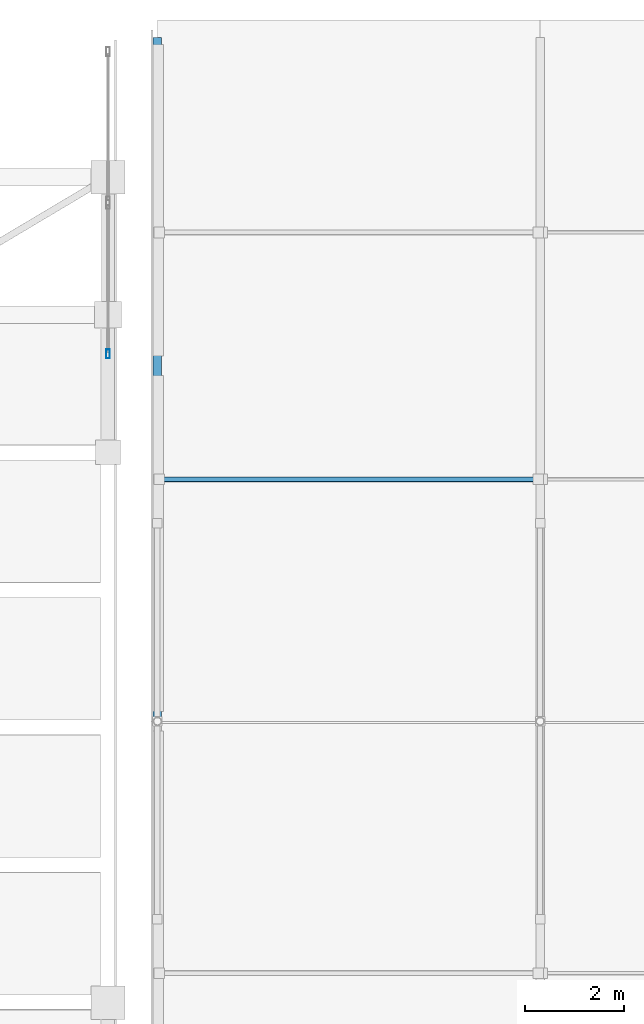
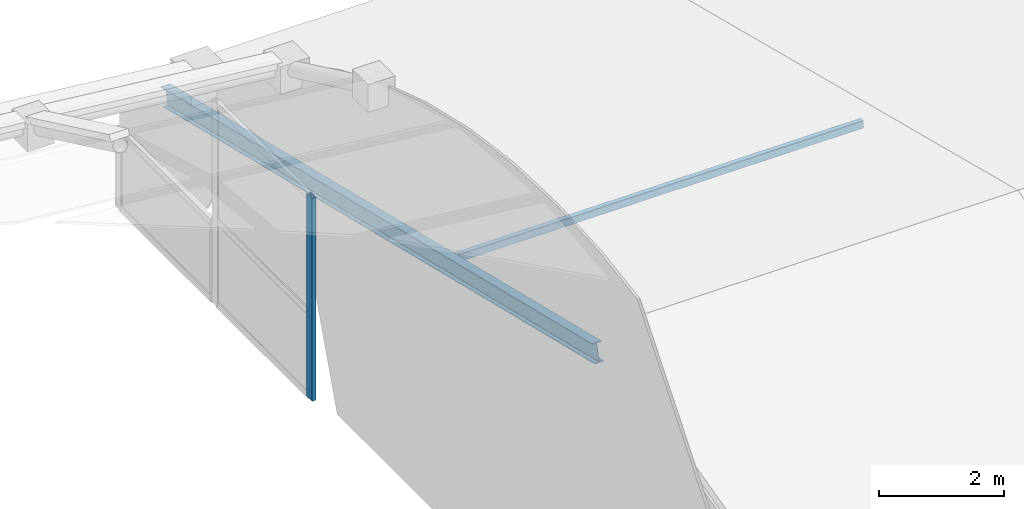
# One storey, part 32 of 65: 3 members, 1 element without a shape of its own.
"""IFC4 building model written with IfcOpenShell, lengths in metres."""

from ifc_helpers import new_model, si_unit, direction, frame, origin, origin_2d, place, context, subcontext, project, spatial, hollow_rectangle, i_section, extrude, material, layer, layer_set, material_profile, profile_set, type_object, element, aggregate, save


model = new_model("IFC4")

# Units and contexts
model_context = context("Model", 3, precision=1e-05, world=origin(), true_north=direction((0.0, 1.0)))
body_context = subcontext(model_context, "Body", "Model", "MODEL_VIEW")
ifc_project = project(units=[si_unit("LENGTHUNIT", "METRE"), si_unit("AREAUNIT", "SQUARE_METRE"), si_unit("VOLUMEUNIT", "CUBIC_METRE"), si_unit("PLANEANGLEUNIT", "RADIAN"), si_unit("MASSUNIT", "GRAM", prefix="KILO")], contexts=[model_context])

# Site, building, storey
site_placement = place(None, origin())
site = spatial("IfcSite", under=ifc_project, at=site_placement, CompositionType="ELEMENT")
building_placement = place(site_placement, origin())
building = spatial("IfcBuilding", under=site, at=building_placement, Name="Quillay Park Conservatory", CompositionType="ELEMENT")
storey_placement = place(building_placement, frame((0.0, 0.0, 14.10009765625)))
storey = spatial("IfcBuildingStorey", under=building, at=storey_placement, Name="L03", CompositionType="ELEMENT", Elevation=14.10009765625)

# Curtain wall, member
ifc_material_1 = material(Name="Thermally Broken Anodised Aluminium 6063-T6", Category="aluminium")
ifc_layer = layer(ifc_material_1, 0.219970703125)
ifc_layer_set = layer_set([ifc_layer], Name="UNITISED CURTAIN WALL CONSERVATORY (Thermally Broken Anodised Aluminium 6063-T6)")
curtain_wall_type = type_object("IfcCurtainWallType", Name="UNITISED CURTAIN WALL CONSERVATORY", PredefinedType="USERDEFINED", material=ifc_layer_set)
curtain_wall_placement = place(storey_placement, origin())
curtain_wall = element("IfcCurtainWall", 1, at=curtain_wall_placement, inside=storey, type_object=curtain_wall_type, Name="L03 Unitised Curtain Wall 184", ObjectType="UNITISED CURTAIN WALL", PredefinedType="USERDEFINED")
ifc_material_2 = material(Name="Thermally Broken Anodised Aluminium 6063-T6", Category="aluminium")
ifc_material_profile_1 = material_profile(ifc_material_2, hollow_rectangle(XDim=0.070068359375, YDim=0.179931640625, WallThickness=0.00390625, at=origin_2d()), Name="AL70x180x4")
ifc_profile_set_1 = profile_set([ifc_material_profile_1], Name="Thermally Broken Anodised Aluminium 6063-T6")
member_type_1 = type_object("IfcMemberType", Name="CURTAIN WALL MULLION 70 X180", PredefinedType="MULLION", material=ifc_profile_set_1)
member_1_placement = place(storey_placement, frame((114.85009765625, 107.0400390625, -3.2001953125), z_axis=(0.0, 0.0, 1.0), x_axis=(1.0, 0.0, 0.0)))
member_1 = element("IfcMember", 2, at=member_1_placement, type_object=member_type_1, Name="CW-C1 mullion 2", PredefinedType="MULLION", context=body_context, shape_type="SweptSolid", body=[
    extrude(hollow_rectangle(XDim=0.070068359375, YDim=0.179931640625, WallThickness=0.00390625, at=origin_2d()), origin(), (0.0, 0.0, 1.0), 3.958740234375),
])
aggregate(curtain_wall, [member_1])

# Members
ifc_material_3 = material(Name="Steel ASTM A992 Grade 50", Category="steel")
ifc_material_profile_2 = material_profile(ifc_material_3, i_section(OverallWidth=0.172119140625, OverallDepth=0.35791015625, WebThickness=0.0078125, FlangeThickness=0.01318359375, FilletRadius=0.010986328125, at=origin_2d()), Name="W360x57")
ifc_profile_set_2 = profile_set([ifc_material_profile_2], Name="Steel ASTM A992 Grade 50")
member_type_2 = type_object("IfcMemberType", Name="FOLDED ROOF RAFTER W360", PredefinedType="RAFTER", material=ifc_profile_set_2)
member_2_placement = place(storey_placement, frame((115.85009765625, 99.60009765625, 1.849853515625), z_axis=(0.0, 0.971778368893, -0.235895743394), x_axis=(-1.0, 0.0, 0.0)))
element("IfcMember", 3, at=member_2_placement, inside=storey, type_object=member_type_2, Name="Gridshell member AUD-RAF-N1", PredefinedType="RAFTER", context=body_context, shape_type="SweptSolid", body=[
    extrude(i_section(OverallWidth=0.172119140625, OverallDepth=0.35791015625, WebThickness=0.0078125, FlangeThickness=0.01318359375, FilletRadius=0.010986328125, at=origin_2d()), origin(), (0.0, 0.0, 1.0), 14.20068359375),
])
ifc_material_4 = material(Name="Steel S355J2H", Category="steel")
ifc_material_profile_3 = material_profile(ifc_material_4, hollow_rectangle(XDim=0.10009765625, YDim=0.14990234375, WallThickness=0.00634765625, InnerFilletRadius=0.00634765625, OuterFilletRadius=0.011962890625, at=origin_2d()), Name="RHS150x100x6.3")
ifc_profile_set_3 = profile_set([ifc_material_profile_3], Name="Steel S355J2H")
member_type_3 = type_object("IfcMemberType", Name="ROOF GLAZING PURLIN RHS150", PredefinedType="PURLIN", material=ifc_profile_set_3)
member_3_placement = place(storey_placement, frame((115.89990234375, 104.5, 0.660400390625), z_axis=(1.0, 0.0, 0.0), x_axis=(0.0, 1.0, 0.0)))
element("IfcMember", 4, at=member_3_placement, inside=storey, type_object=member_type_3, Name="Gridshell member AUD-PUR-1-104", PredefinedType="PURLIN", context=body_context, shape_type="SweptSolid", body=[
    extrude(hollow_rectangle(XDim=0.10009765625, YDim=0.14990234375, WallThickness=0.00634765625, InnerFilletRadius=0.00634765625, OuterFilletRadius=0.011962890625, at=origin_2d()), origin(), (0.0, 0.0, 1.0), 7.650146484375),
])

save(model, "model.ifc")
